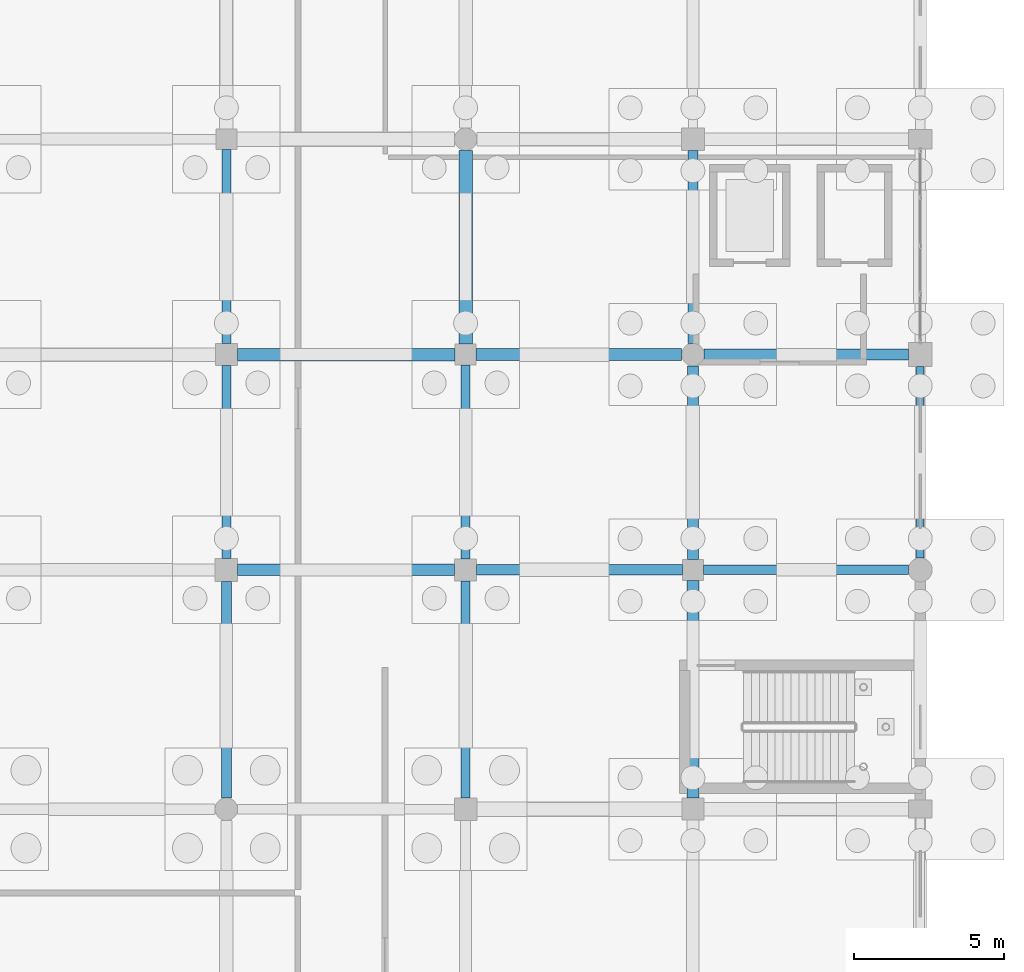
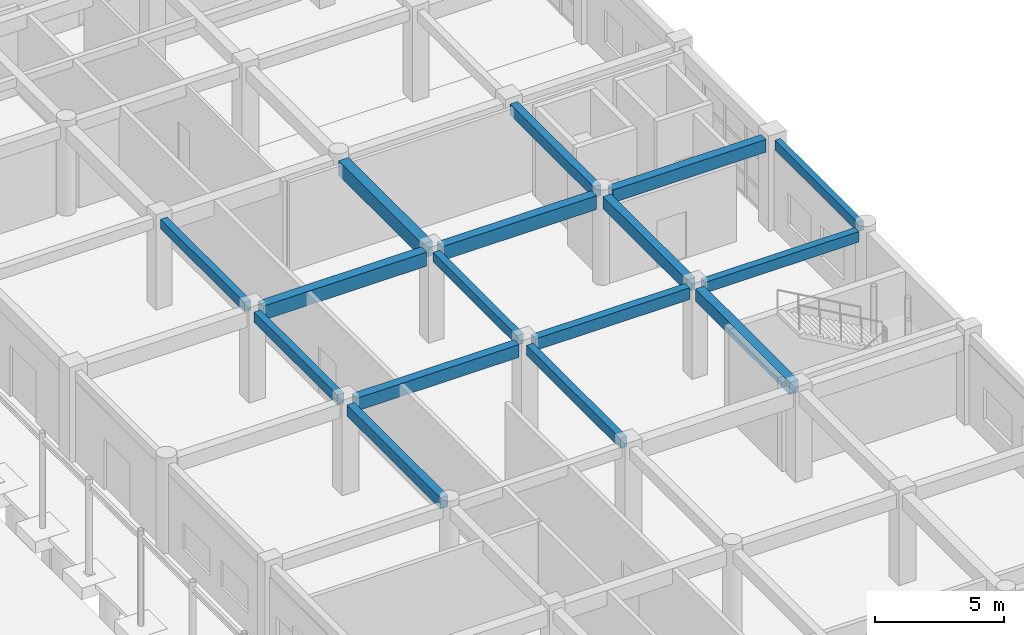
# One storey, part 95 of 166: 16 beams.
"""IFC4 building model written with IfcOpenShell, lengths in metres."""

from ifc_helpers import new_model, si_unit, direction, frame, origin, origin_2d, place, context, subcontext, project, spatial, rectangle, extrude, material, material_profile, profile_set, type_object, element, save


model = new_model("IFC4")

# Units and contexts
model_context = context("Model", 3, precision=1e-05, world=origin(), true_north=direction((0.0, 1.0)))
body_context = subcontext(model_context, "Body", "Model", "MODEL_VIEW")
ifc_project = project(units=[si_unit("LENGTHUNIT", "METRE"), si_unit("AREAUNIT", "SQUARE_METRE"), si_unit("VOLUMEUNIT", "CUBIC_METRE"), si_unit("PLANEANGLEUNIT", "RADIAN"), si_unit("MASSUNIT", "GRAM", prefix="KILO")], contexts=[model_context])

# Site, building, storey
site_placement = place(None, origin())
site = spatial("IfcSite", under=ifc_project, at=site_placement, CompositionType="ELEMENT")
building_placement = place(site_placement, origin())
building = spatial("IfcBuilding", under=site, at=building_placement, Name="Kharva Crest Polytechnic", CompositionType="ELEMENT")
storey_placement = place(building_placement, origin())
storey = spatial("IfcBuildingStorey", under=building, at=storey_placement, Name="L00", CompositionType="ELEMENT", Elevation=0.0)

# Beams
ifc_material = material(Name="Concrete C35/45", Category="concrete")
ifc_material_profile_1 = material_profile(ifc_material, rectangle(XDim=0.300048828125, YDim=0.449951171875, at=origin_2d()), Name="RECT 300 X 450")
ifc_profile_set_1 = profile_set([ifc_material_profile_1], Name="Concrete C35/45")
beam_type_1 = type_object("IfcBeamType", Name="BM-RC-300X450", PredefinedType="BEAM", material=ifc_profile_set_1)
for number, where, z_axis, x_axis, name in (
    (1, (160.800048828125, 86.3701171875, 3.9951171875), (0.0, 1.0, 0.0), (-1.0, 0.0, 0.0), "L00 Girder 21/M-N"),
    (2, (168.800048828125, 79.169921875, 3.9951171875), (0.0, 1.0, 0.0), (-1.0, 0.0, 0.0), "L00 Girder 22/L-M"),
):
    element("IfcBeam", number, at=place(storey_placement, frame(where, z_axis=z_axis, x_axis=x_axis)), inside=storey, type_object=beam_type_1, Name=name, PredefinedType="BEAM", context=body_context, shape_type="SweptSolid", body=[
        extrude(rectangle(XDim=0.300048828125, YDim=0.449951171875, at=origin_2d()), origin(), (0.0, 0.0, 1.0), 6.47998046875),
    ])
ifc_material_profile_2 = material_profile(ifc_material, rectangle(XDim=0.300048828125, YDim=0.47998046875, at=origin_2d()), Name="RECT 300 X 480")
ifc_profile_set_2 = profile_set([ifc_material_profile_2], Name="Concrete C35/45")
beam_type_2 = type_object("IfcBeamType", Name="BM-RC-300X480", PredefinedType="BEAM", material=ifc_profile_set_2)
beam_1_placement = place(storey_placement, frame((160.800048828125, 79.179931640625, 3.97998046875), z_axis=(0.0, 1.0, 0.0), x_axis=(-1.0, 0.0, 0.0)))
element("IfcBeam", 3, at=beam_1_placement, inside=storey, type_object=beam_type_2, Name="L00 Girder 21/L-M", PredefinedType="BEAM", context=body_context, shape_type="SweptSolid", body=[
    extrude(rectangle(XDim=0.300048828125, YDim=0.47998046875, at=origin_2d()), origin(), (0.0, 0.0, 1.0), 6.449951171875),
])
beam_2_placement = place(storey_placement, frame((168.800048828125, 71.179931640625, 3.97998046875), z_axis=(0.0, 1.0, 0.0), x_axis=(-1.0, 0.0, 0.0)))
element("IfcBeam", 4, at=beam_2_placement, inside=storey, type_object=beam_type_2, Name="L00 Girder 22/K-L", PredefinedType="BEAM", context=body_context, shape_type="SweptSolid", body=[
    extrude(rectangle(XDim=0.300048828125, YDim=0.47998046875, at=origin_2d()), origin(), (0.0, 0.0, 1.0), 7.25),
])
ifc_material_profile_3 = material_profile(ifc_material, rectangle(XDim=0.320068359375, YDim=0.5, at=origin_2d()), Name="RECT 320 X 500")
ifc_profile_set_3 = profile_set([ifc_material_profile_3], Name="Concrete C35/45")
beam_type_3 = type_object("IfcBeamType", Name="BM-RC-320X500", PredefinedType="BEAM", material=ifc_profile_set_3)
beam_3_placement = place(storey_placement, frame((176.75, 78.800048828125, 3.969970703125), z_axis=(1.0, 0.0, 0.0), x_axis=(0.0, 1.0, 0.0)))
element("IfcBeam", 5, at=beam_3_placement, inside=storey, type_object=beam_type_3, Name="L00 Beam L/23-24", PredefinedType="BEAM", context=body_context, shape_type="SweptSolid", body=[
    extrude(rectangle(XDim=0.320068359375, YDim=0.5, at=origin_2d()), origin(), (0.0, 0.0, 1.0), 6.85009765625),
])
ifc_material_profile_4 = material_profile(ifc_material, rectangle(XDim=0.340087890625, YDim=0.52001953125, at=origin_2d()), Name="RECT 340 X 520")
ifc_profile_set_4 = profile_set([ifc_material_profile_4], Name="Concrete C35/45")
beam_type_4 = type_object("IfcBeamType", Name="BM-RC-340X520", PredefinedType="BEAM", material=ifc_profile_set_4)
beam_4_placement = place(storey_placement, frame((160.800048828125, 71.175048828125, 3.9599609375), z_axis=(0.0, 1.0, 0.0), x_axis=(-1.0, 0.0, 0.0)))
element("IfcBeam", 6, at=beam_4_placement, inside=storey, type_object=beam_type_4, Name="L00 Girder 21/K-L", PredefinedType="BEAM", context=body_context, shape_type="SweptSolid", body=[
    extrude(rectangle(XDim=0.340087890625, YDim=0.52001953125, at=origin_2d()), origin(), (0.0, 0.0, 1.0), 7.244873046875),
])
beam_5_placement = place(storey_placement, frame((176.39990234375, 86.375, 3.9599609375), z_axis=(0.0, 1.0, 0.0), x_axis=(-1.0, 0.0, 0.0)))
element("IfcBeam", 7, at=beam_5_placement, inside=storey, type_object=beam_type_4, Name="L00 Girder 23/M-N", PredefinedType="BEAM", context=body_context, shape_type="SweptSolid", body=[
    extrude(rectangle(XDim=0.340087890625, YDim=0.52001953125, at=origin_2d()), origin(), (0.0, 0.0, 1.0), 6.445068359375),
])
ifc_material_profile_5 = material_profile(ifc_material, rectangle(XDim=0.35009765625, YDim=0.550048828125, at=origin_2d()), Name="RECT 350 X 550")
ifc_profile_set_5 = profile_set([ifc_material_profile_5], Name="Concrete C35/45")
beam_type_5 = type_object("IfcBeamType", Name="BM-RC-350X550", PredefinedType="BEAM", material=ifc_profile_set_5)
beam_6_placement = place(storey_placement, frame((169.169921875, 78.800048828125, 3.945068359375), z_axis=(1.0, 0.0, 0.0), x_axis=(0.0, 1.0, 0.0)))
element("IfcBeam", 8, at=beam_6_placement, inside=storey, type_object=beam_type_5, Name="L00 Beam L/22-23", PredefinedType="BEAM", context=body_context, shape_type="SweptSolid", body=[
    extrude(rectangle(XDim=0.35009765625, YDim=0.550048828125, at=origin_2d()), origin(), (0.0, 0.0, 1.0), 6.880126953125),
])
ifc_material_profile_6 = material_profile(ifc_material, rectangle(XDim=0.360107421875, YDim=0.580078125, at=origin_2d()), Name="RECT 360 X 580")
ifc_profile_set_6 = profile_set([ifc_material_profile_6], Name="Concrete C35/45")
beam_type_6 = type_object("IfcBeamType", Name="BM-RC-360X580", PredefinedType="BEAM", material=ifc_profile_set_6)
beam_7_placement = place(storey_placement, frame((176.39990234375, 79.14990234375, 3.929931640625), z_axis=(0.0, 1.0, 0.0), x_axis=(-1.0, 0.0, 0.0)))
element("IfcBeam", 9, at=beam_7_placement, inside=storey, type_object=beam_type_6, Name="L00 Girder 23/L-M", PredefinedType="BEAM", context=body_context, shape_type="SweptSolid", body=[
    extrude(rectangle(XDim=0.360107421875, YDim=0.580078125, at=origin_2d()), origin(), (0.0, 0.0, 1.0), 6.47509765625),
])
ifc_material_profile_7 = material_profile(ifc_material, rectangle(XDim=0.3798828125, YDim=0.60009765625, at=origin_2d()), Name="RECT 380 X 600")
ifc_profile_set_7 = profile_set([ifc_material_profile_7], Name="Concrete C35/45")
beam_type_7 = type_object("IfcBeamType", Name="BM-RC-380X600", PredefinedType="BEAM", material=ifc_profile_set_7)
beam_8_placement = place(storey_placement, frame((161.179931640625, 78.800048828125, 3.919921875), z_axis=(1.0, 0.0, 0.0), x_axis=(0.0, 1.0, 0.0)))
element("IfcBeam", 10, at=beam_8_placement, inside=storey, type_object=beam_type_7, Name="L00 Beam L/21-22", PredefinedType="BEAM", context=body_context, shape_type="SweptSolid", body=[
    extrude(rectangle(XDim=0.3798828125, YDim=0.60009765625, at=origin_2d()), origin(), (0.0, 0.0, 1.0), 7.25),
])
beam_9_placement = place(storey_placement, frame((176.77490234375, 86.0, 3.919921875), z_axis=(1.0, 0.0, 0.0), x_axis=(0.0, 1.0, 0.0)))
element("IfcBeam", 11, at=beam_9_placement, inside=storey, type_object=beam_type_7, Name="L00 Beam M/23-24", PredefinedType="BEAM", context=body_context, shape_type="SweptSolid", body=[
    extrude(rectangle(XDim=0.3798828125, YDim=0.60009765625, at=origin_2d()), origin(), (0.0, 0.0, 1.0), 6.8251953125),
])
ifc_material_profile_8 = material_profile(ifc_material, rectangle(XDim=0.39990234375, YDim=0.580078125, at=origin_2d()), Name="RECT 400 X 580")
ifc_profile_set_8 = profile_set([ifc_material_profile_8], Name="Concrete C35/45")
beam_type_8 = type_object("IfcBeamType", Name="BM-RC-400X580", PredefinedType="BEAM", material=ifc_profile_set_8)
beam_10_placement = place(storey_placement, frame((176.39990234375, 71.169921875, 3.929931640625), z_axis=(0.0, 1.0, 0.0), x_axis=(-1.0, 0.0, 0.0)))
element("IfcBeam", 12, at=beam_10_placement, inside=storey, type_object=beam_type_8, Name="L00 Girder 23/K-L", PredefinedType="BEAM", context=body_context, shape_type="SweptSolid", body=[
    extrude(rectangle(XDim=0.39990234375, YDim=0.580078125, at=origin_2d()), origin(), (0.0, 0.0, 1.0), 7.280029296875),
])
ifc_material_profile_9 = material_profile(ifc_material, rectangle(XDim=0.39990234375, YDim=0.64990234375, at=origin_2d()), Name="RECT 400 X 650")
ifc_profile_set_9 = profile_set([ifc_material_profile_9], Name="Concrete C35/45")
beam_type_9 = type_object("IfcBeamType", Name="BM-RC-400X650", PredefinedType="BEAM", material=ifc_profile_set_9)
beam_11_placement = place(storey_placement, frame((169.14990234375, 86.0, 3.89501953125), z_axis=(1.0, 0.0, 0.0), x_axis=(0.0, 1.0, 0.0)))
element("IfcBeam", 13, at=beam_11_placement, inside=storey, type_object=beam_type_9, Name="L00 Beam M/22-23", PredefinedType="BEAM", context=body_context, shape_type="SweptSolid", body=[
    extrude(rectangle(XDim=0.39990234375, YDim=0.64990234375, at=origin_2d()), origin(), (0.0, 0.0, 1.0), 6.875),
])
ifc_material_profile_10 = material_profile(ifc_material, rectangle(XDim=0.419921875, YDim=0.659912109375, at=origin_2d()), Name="RECT 420 X 660")
ifc_profile_set_10 = profile_set([ifc_material_profile_10], Name="Concrete C35/45")
beam_type_10 = type_object("IfcBeamType", Name="BM-RC-420X660", PredefinedType="BEAM", material=ifc_profile_set_10)
beam_12_placement = place(storey_placement, frame((161.169921875, 86.0, 3.889892578125), z_axis=(1.0, 0.0, 0.0), x_axis=(0.0, 1.0, 0.0)))
element("IfcBeam", 14, at=beam_12_placement, inside=storey, type_object=beam_type_10, Name="L00 Beam M/21-22", PredefinedType="BEAM", context=body_context, shape_type="SweptSolid", body=[
    extrude(rectangle(XDim=0.419921875, YDim=0.659912109375, at=origin_2d()), origin(), (0.0, 0.0, 1.0), 7.280029296875),
])
ifc_material_profile_11 = material_profile(ifc_material, rectangle(XDim=0.449951171875, YDim=0.679931640625, at=origin_2d()), Name="RECT 450 X 680")
ifc_profile_set_11 = profile_set([ifc_material_profile_11], Name="Concrete C35/45")
beam_type_11 = type_object("IfcBeamType", Name="BM-RC-450X680", PredefinedType="BEAM", material=ifc_profile_set_11)
beam_13_placement = place(storey_placement, frame((168.800048828125, 86.35009765625, 3.8798828125), z_axis=(0.0, 1.0, 0.0), x_axis=(-1.0, 0.0, 0.0)))
element("IfcBeam", 15, at=beam_13_placement, inside=storey, type_object=beam_type_11, Name="L00 Girder 22/M-N", PredefinedType="BEAM", context=body_context, shape_type="SweptSolid", body=[
    extrude(rectangle(XDim=0.449951171875, YDim=0.679931640625, at=origin_2d()), origin(), (0.0, 0.0, 1.0), 6.474853515625),
])
ifc_material_profile_12 = material_profile(ifc_material, rectangle(XDim=0.260009765625, YDim=0.43994140625, at=origin_2d()), Name="RECT 260 X 440")
ifc_profile_set_12 = profile_set([ifc_material_profile_12], Name="Concrete C35/45")
beam_type_12 = type_object("IfcBeamType", Name="SP-RC-260X440", PredefinedType="SPANDREL", material=ifc_profile_set_12)
beam_14_placement = place(storey_placement, frame((184.0, 79.199951171875, 4.0), z_axis=(0.0, 1.0, 0.0), x_axis=(-1.0, 0.0, 0.0)))
element("IfcBeam", 16, at=beam_14_placement, inside=storey, type_object=beam_type_12, Name="L00 Girder 24/L-M", PredefinedType="SPANDREL", context=body_context, shape_type="SweptSolid", body=[
    extrude(rectangle(XDim=0.260009765625, YDim=0.43994140625, at=origin_2d()), origin(), (0.0, 0.0, 1.0), 6.400146484375),
])

save(model, "model.ifc")
